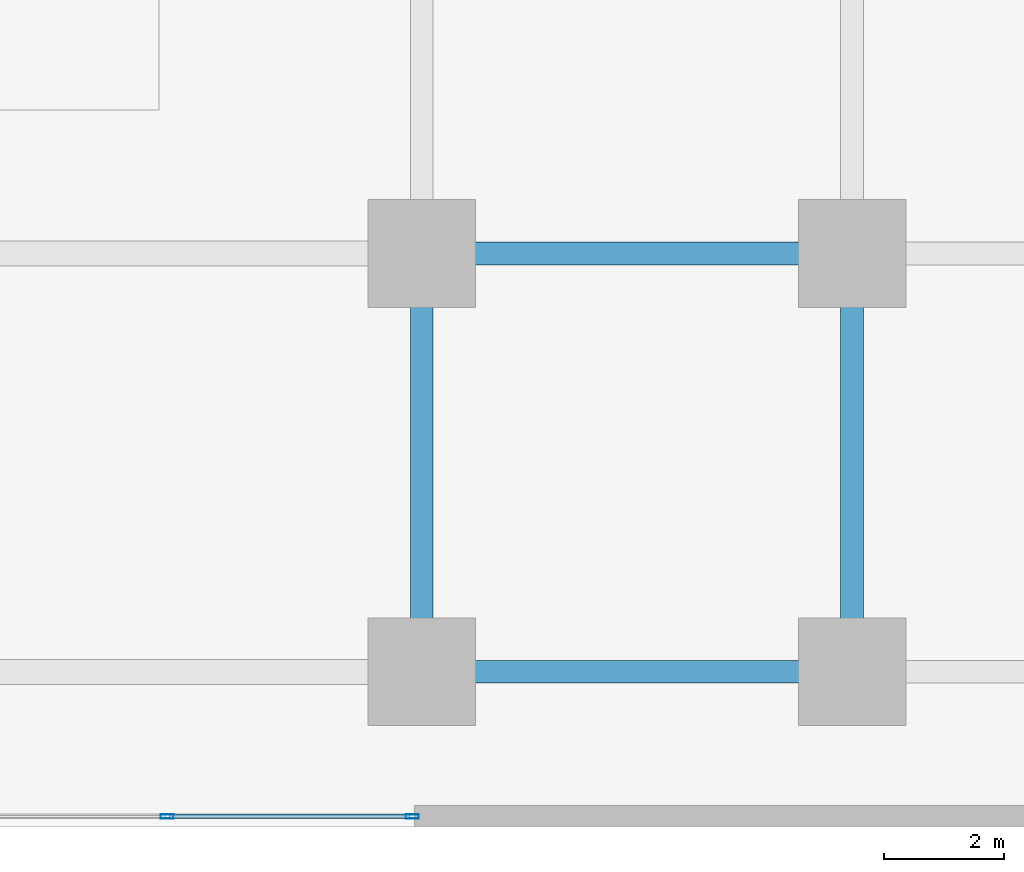
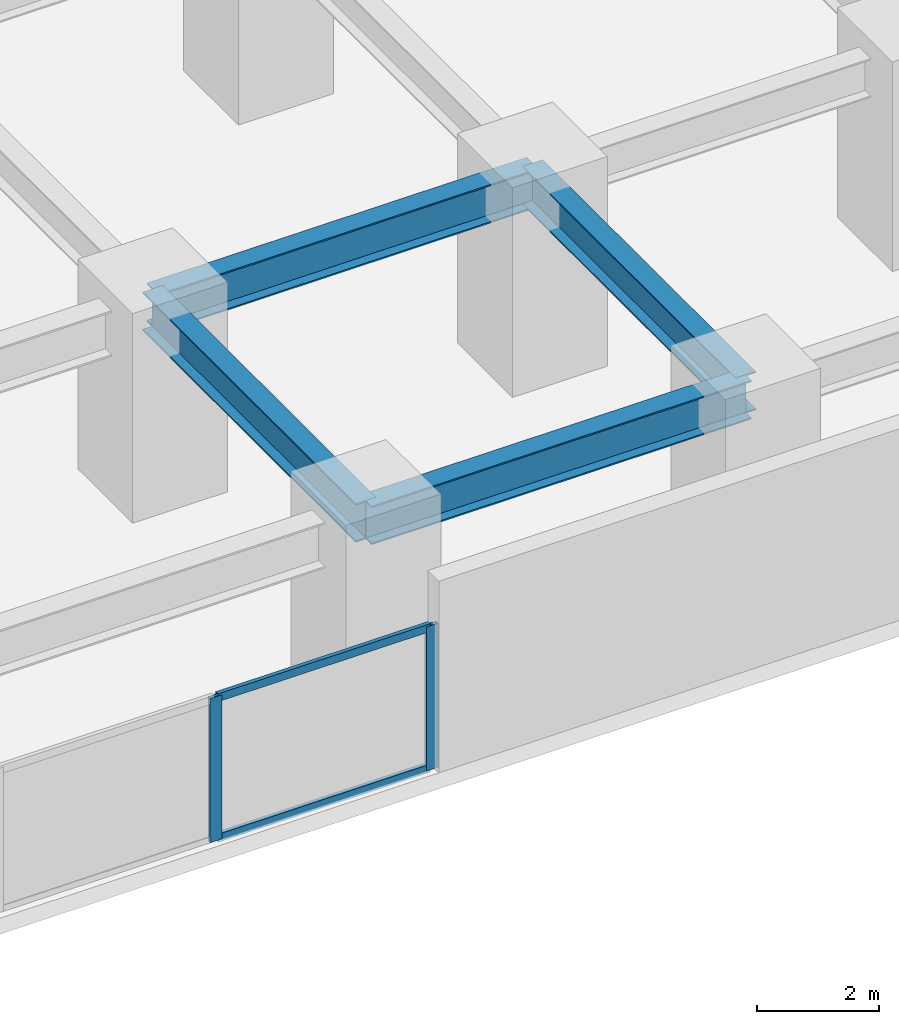
# One storey, part 4 of 22: 4 beams, 4 members, 1 element without a shape of its own.
"""IFC4 building model written with IfcOpenShell, lengths in metres."""

from ifc_helpers import new_model, si_unit, direction, frame, origin, origin_2d, place, context, subcontext, project, spatial, hollow_rectangle, i_section, extrude, material, layer, layer_set, material_profile, profile_set, type_object, element, aggregate, save


model = new_model("IFC4")

# Units and contexts
model_context = context("Model", 3, precision=1e-05, world=origin(), true_north=direction((0.0, 1.0)))
body_context = subcontext(model_context, "Body", "Model", "MODEL_VIEW")
ifc_project = project(units=[si_unit("LENGTHUNIT", "METRE"), si_unit("AREAUNIT", "SQUARE_METRE"), si_unit("VOLUMEUNIT", "CUBIC_METRE"), si_unit("PLANEANGLEUNIT", "RADIAN"), si_unit("MASSUNIT", "GRAM", prefix="KILO")], contexts=[model_context])

# Site, building, storey
site_placement = place(None, origin())
site = spatial("IfcSite", under=ifc_project, at=site_placement, CompositionType="ELEMENT")
building_placement = place(site_placement, origin())
building = spatial("IfcBuilding", under=site, at=building_placement, Name="Kiyonajd Concourse Tower", CompositionType="ELEMENT")
storey_placement = place(building_placement, frame((0.0, 0.0, 12.89990234375)))
storey = spatial("IfcBuildingStorey", under=building, at=storey_placement, Name="L04", CompositionType="ELEMENT", Elevation=12.89990234375)

# Beams
ifc_material_1 = material(Name="Steel ASTM A992 Grade 50", Category="steel")
ifc_material_profile_1 = material_profile(ifc_material_1, i_section(OverallWidth=0.381103515625, OverallDepth=0.77294921875, WebThickness=0.0166015625, FlangeThickness=0.027099609375, at=origin_2d()), Name="W760X257")
ifc_profile_set_1 = profile_set([ifc_material_profile_1], Name="Steel ASTM A992 Grade 50")
beam_type = type_object("IfcBeamType", Name="BM-POD-760", PredefinedType="BEAM", material=ifc_profile_set_1)
for number, where, z_axis, x_axis, name in (
    (1, (56.39990234375, 2.60009765625, 3.45361328125), (1.0, 0.0, 0.0), (0.0, 1.0, 0.0), "L04 Podium Primary Beam"),
    (2, (56.39990234375, 9.60009765625, 3.45361328125), (1.0, 0.0, 0.0), (0.0, 1.0, 0.0), "L04 Podium Primary Beam"),
):
    element("IfcBeam", number, at=place(storey_placement, frame(where, z_axis=z_axis, x_axis=x_axis)), inside=storey, type_object=beam_type, Name=name, PredefinedType="BEAM", context=body_context, shape_type="SweptSolid", body=[
        extrude(i_section(OverallWidth=0.381103515625, OverallDepth=0.77294921875, WebThickness=0.0166015625, FlangeThickness=0.027099609375, at=origin_2d()), origin(), (0.0, 0.0, 1.0), 7.2001953125),
    ])
for number, where, z_axis, x_axis, name in (
    (3, (56.39990234375, 2.60009765625, 3.45361328125), (0.0, 1.0, 0.0), (-1.0, 0.0, 0.0), "L04 Podium North South Beam"),
    (4, (63.60009765625, 2.60009765625, 3.45361328125), (0.0, 1.0, 0.0), (-1.0, 0.0, 0.0), "L04 Podium North South Beam"),
):
    element("IfcBeam", number, at=place(storey_placement, frame(where, z_axis=z_axis, x_axis=x_axis)), inside=storey, type_object=beam_type, Name=name, PredefinedType="BEAM", context=body_context, shape_type="SweptSolid", body=[
        extrude(i_section(OverallWidth=0.381103515625, OverallDepth=0.77294921875, WebThickness=0.0166015625, FlangeThickness=0.027099609375, at=origin_2d()), origin(), (0.0, 0.0, 1.0), 7.0),
    ])

# Curtain wall, members
ifc_material_2 = material(Name="Thermally Broken Anodised Aluminium", Category="aluminium")
ifc_layer = layer(ifc_material_2, 0.179931640625)
ifc_layer_set = layer_set([ifc_layer], Name="Thermally Broken Anodised Aluminium")
curtain_wall_type = type_object("IfcCurtainWallType", Name="CW-SYS-01", PredefinedType="NOTDEFINED", material=ifc_layer_set)
curtain_wall_placement = place(storey_placement, origin())
curtain_wall = element("IfcCurtainWall", 5, at=curtain_wall_placement, inside=storey, type_object=curtain_wall_type, Name="L04 Unitised Curtain Wall CW1", PredefinedType="NOTDEFINED")
ifc_material_profile_2 = material_profile(ifc_material_2, hollow_rectangle(XDim=0.074951171875, YDim=0.219970703125, WallThickness=0.0048828125, at=origin_2d()), Name="MULL-75x220")
ifc_profile_set_2 = profile_set([ifc_material_profile_2], Name="Thermally Broken Anodised Aluminium")
member_type_1 = type_object("IfcMemberType", Name="MB-CW-MULL2", PredefinedType="MULLION", material=ifc_profile_set_2)
member_1_placement = place(storey_placement, frame((56.242431640625, 0.179931640625, 0.0), z_axis=(0.0, 0.0, 1.0), x_axis=(0.0, -1.0, 0.0)))
member_1 = element("IfcMember", 6, at=member_1_placement, type_object=member_type_1, Name="CW1 mullion 1", PredefinedType="MULLION", context=body_context, shape_type="SweptSolid", body=[
    extrude(hollow_rectangle(XDim=0.074951171875, YDim=0.219970703125, WallThickness=0.0048828125, at=origin_2d()), origin(), (0.0, 0.0, 1.0), 2.89013671875),
])
member_2_placement = place(storey_placement, frame((52.139892578125, 0.179931640625, 0.0), z_axis=(0.0, 0.0, 1.0), x_axis=(0.0, -1.0, 0.0)))
member_2 = element("IfcMember", 7, at=member_2_placement, type_object=member_type_1, Name="CW1 mullion 2", PredefinedType="MULLION", context=body_context, shape_type="SweptSolid", body=[
    extrude(hollow_rectangle(XDim=0.074951171875, YDim=0.219970703125, WallThickness=0.0048828125, at=origin_2d()), origin(), (0.0, 0.0, 1.0), 2.89013671875),
])
ifc_material_profile_3 = material_profile(ifc_material_2, hollow_rectangle(XDim=0.074951171875, YDim=0.159912109375, WallThickness=0.0048828125, at=origin_2d()), Name="TRAN-75x160")
ifc_profile_set_3 = profile_set([ifc_material_profile_3], Name="Thermally Broken Anodised Aluminium")
member_type_2 = type_object("IfcMemberType", Name="MB-CW-TRAN2", PredefinedType="USERDEFINED", material=ifc_profile_set_3)
member_3_placement = place(storey_placement, frame((56.205078125, 0.179931640625, 0.03759765625), z_axis=(-1.0, 0.0, 0.0), x_axis=(0.0, -1.0, 0.0)))
member_3 = element("IfcMember", 8, at=member_3_placement, type_object=member_type_2, Name="CW1 transom 1.1", ObjectType="TRANSOM", PredefinedType="USERDEFINED", context=body_context, shape_type="SweptSolid", body=[
    extrude(hollow_rectangle(XDim=0.074951171875, YDim=0.159912109375, WallThickness=0.0048828125, at=origin_2d()), origin(), (0.0, 0.0, 1.0), 4.027587890625),
])
member_4_placement = place(storey_placement, frame((56.205078125, 0.179931640625, 2.8525390625), z_axis=(-1.0, 0.0, 0.0), x_axis=(0.0, -1.0, 0.0)))
member_4 = element("IfcMember", 9, at=member_4_placement, type_object=member_type_2, Name="CW1 transom 1.2", ObjectType="TRANSOM", PredefinedType="USERDEFINED", context=body_context, shape_type="SweptSolid", body=[
    extrude(hollow_rectangle(XDim=0.074951171875, YDim=0.159912109375, WallThickness=0.0048828125, at=origin_2d()), origin(), (0.0, 0.0, 1.0), 4.027587890625),
])
aggregate(curtain_wall, [member_1, member_2, member_3, member_4])

save(model, "model.ifc")
